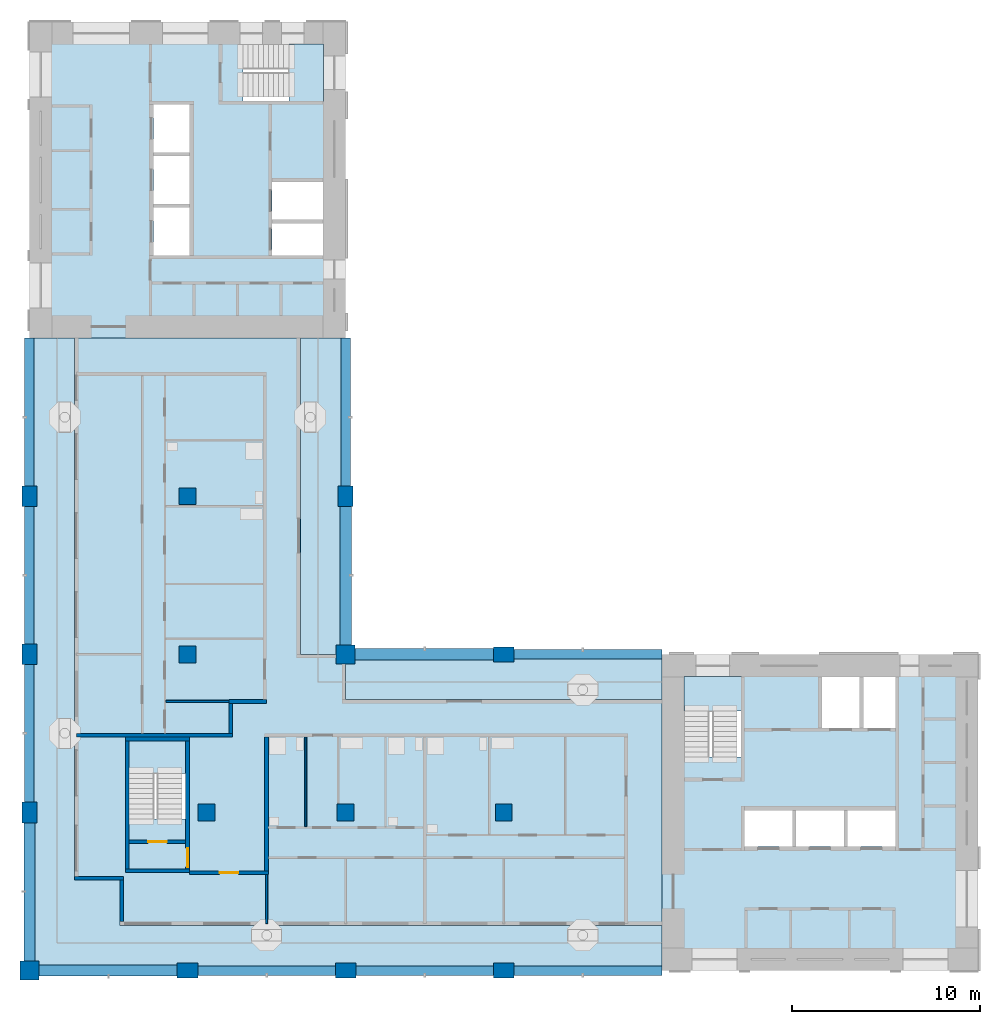
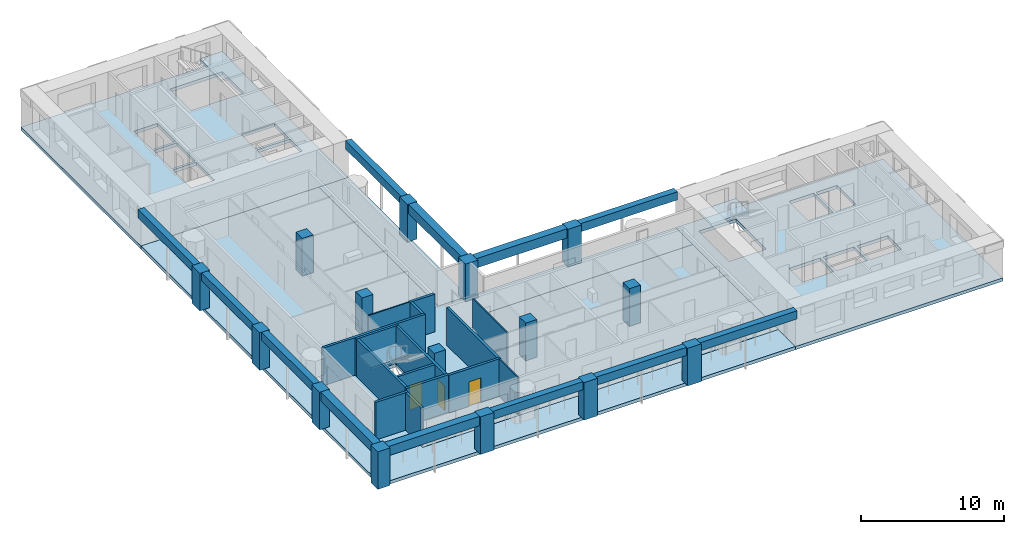
# One storey, part 1 of 12: 15 columns, 15 walls, 12 beams, 10 slabs, 3 doors, 3 openings, 3 elements without a shape of their own.
"""IFC4 building model written with IfcOpenShell, lengths in metres."""

from ifc_helpers import new_model, si_unit, direction, frame, frame_2d, origin, origin_2d, place, context, subcontext, project, spatial, polyline, rectangle, outline, extrude, material, layer, layer_set, material_profile, profile_set, type_object, element, fill, aggregate, save


model = new_model("IFC4")

# Units and contexts
model_context = context("Model", 3, precision=1e-05, world=origin(), true_north=direction((0.0, 1.0)))
body_context = subcontext(model_context, "Body", "Model", "MODEL_VIEW")
ifc_project = project(units=[si_unit("LENGTHUNIT", "METRE"), si_unit("AREAUNIT", "SQUARE_METRE"), si_unit("VOLUMEUNIT", "CUBIC_METRE"), si_unit("PLANEANGLEUNIT", "RADIAN"), si_unit("MASSUNIT", "GRAM", prefix="KILO")], contexts=[model_context])

# Site, building, storey
site_placement = place(None, origin())
site = spatial("IfcSite", under=ifc_project, at=site_placement, CompositionType="ELEMENT")
building_placement = place(site_placement, origin())
building = spatial("IfcBuilding", under=site, at=building_placement, Name="Vermilion Gate Residences", CompositionType="ELEMENT")
storey_placement = place(building_placement, frame((0.0, 0.0, 238.699951171875)))
storey = spatial("IfcBuildingStorey", under=building, at=storey_placement, Name="L62", CompositionType="ELEMENT", Elevation=238.699951171875)

# Columns
ifc_material_1 = material(Name="Concrete C50", Category="concrete")
ifc_material_profile_1 = material_profile(ifc_material_1, rectangle(XDim=1.0, YDim=1.0, at=origin_2d()), Name="RC-1000x1000")
ifc_profile_set_1 = profile_set([ifc_material_profile_1], Name="Concrete C50")
column_type_1 = type_object("IfcColumnType", Name="RC COLUMN 1000 X 1000 C50", PredefinedType="COLUMN", material=ifc_profile_set_1)
for number, where, z_axis, x_axis, name in (
    (1, (8.39990234375, 8.39990234375, 0.0), (0.0, 0.0, 1.0), (1.0, 0.0, 0.0), "Column 2-B L62"),
    (2, (25.199951171875, 25.199951171875, 0.0), (0.0, 0.0, 1.0), (1.0, 0.0, 0.0), "Column 4-D L62"),
):
    element("IfcColumn", number, at=place(storey_placement, frame(where, z_axis=z_axis, x_axis=x_axis)), inside=storey, type_object=column_type_1, Name=name, PredefinedType="COLUMN", context=body_context, shape_type="SweptSolid", body=[
        extrude(rectangle(XDim=1.0, YDim=1.0, at=origin_2d()), origin(), (0.0, 0.0, 1.0), 3.219970703125),
    ])
ifc_material_2 = material(Name="Concrete C50", Category="concrete")
ifc_material_profile_2 = material_profile(ifc_material_2, rectangle(XDim=1.10009765625, YDim=0.800048828125, at=origin_2d()), Name="RC-1100x800")
ifc_profile_set_2 = profile_set([ifc_material_profile_2], Name="Concrete C50")
column_type_2 = type_object("IfcColumnType", Name="RC COLUMN 1100 X 800 C50", PredefinedType="COLUMN", material=ifc_profile_set_2)
for number, where, z_axis, x_axis, name in (
    (3, (8.39990234375, 16.800048828125, 0.0), (0.0, 0.0, 1.0), (0.0, 1.0, 0.0), "Column 2-C L62"),
    (4, (8.39990234375, 25.199951171875, 0.0), (0.0, 0.0, 1.0), (0.0, 1.0, 0.0), "Column 2-D L62"),
    (5, (8.39990234375, 33.60009765625, 0.0), (0.0, 0.0, 1.0), (0.0, 1.0, 0.0), "Column 2-E L62"),
    (6, (16.800048828125, 8.39990234375, 0.0), (0.0, 0.0, 1.0), (1.0, 0.0, 0.0), "Column 3-B L62"),
    (7, (25.199951171875, 8.39990234375, 0.0), (0.0, 0.0, 1.0), (1.0, 0.0, 0.0), "Column 4-B L62"),
    (8, (25.199951171875, 33.60009765625, 0.0), (0.0, 0.0, 1.0), (0.0, 1.0, 0.0), "Column 4-E L62"),
    (9, (33.60009765625, 8.39990234375, 0.0), (0.0, 0.0, 1.0), (1.0, 0.0, 0.0), "Column 5-B L62"),
    (10, (33.60009765625, 25.199951171875, 0.0), (0.0, 0.0, 1.0), (1.0, 0.0, 0.0), "Column 5-D L62"),
):
    element("IfcColumn", number, at=place(storey_placement, frame(where, z_axis=z_axis, x_axis=x_axis)), inside=storey, type_object=column_type_2, Name=name, PredefinedType="COLUMN", context=body_context, shape_type="SweptSolid", body=[
        extrude(rectangle(XDim=1.10009765625, YDim=0.800048828125, at=origin_2d()), origin(), (0.0, 0.0, 1.0), 3.219970703125),
    ])
ifc_material_3 = material(Name="Concrete C50", Category="concrete")
ifc_material_profile_3 = material_profile(ifc_material_3, rectangle(XDim=0.89990234375, YDim=0.89990234375, at=origin_2d()), Name="RC-900x900")
ifc_profile_set_3 = profile_set([ifc_material_profile_3], Name="Concrete C50")
column_type_3 = type_object("IfcColumnType", Name="RC COLUMN 900 X 900 C50", PredefinedType="COLUMN", material=ifc_profile_set_3)
for number, where, z_axis, x_axis, name in (
    (11, (17.800048828125, 16.800048828125, 0.0), (0.0, 0.0, 1.0), (1.0, 0.0, 0.0), "Column 3-C L62"),
    (12, (16.800048828125, 25.199951171875, 0.0), (0.0, 0.0, 1.0), (1.0, 0.0, 0.0), "Column 3-D L62"),
    (13, (16.800048828125, 33.60009765625, 0.0), (0.0, 0.0, 1.0), (1.0, 0.0, 0.0), "Column 3-E L62"),
    (14, (25.199951171875, 16.800048828125, 0.0), (0.0, 0.0, 1.0), (1.0, 0.0, 0.0), "Column 4-C L62"),
    (15, (33.60009765625, 16.800048828125, 0.0), (0.0, 0.0, 1.0), (1.0, 0.0, 0.0), "Column 5-C L62"),
):
    element("IfcColumn", number, at=place(storey_placement, frame(where, z_axis=z_axis, x_axis=x_axis)), inside=storey, type_object=column_type_3, Name=name, PredefinedType="COLUMN", context=body_context, shape_type="SweptSolid", body=[
        extrude(rectangle(XDim=0.89990234375, YDim=0.89990234375, at=origin_2d()), origin(), (0.0, 0.0, 1.0), 3.219970703125),
    ])

# Beams
ifc_material_4 = material(Name="Concrete C60 red-oxide pigmented", Category="concrete")
ifc_material_profile_4 = material_profile(ifc_material_4, rectangle(XDim=0.60009765625, YDim=0.800048828125, at=origin_2d()), Name="RC-600x800")
ifc_profile_set_4 = profile_set([ifc_material_profile_4], Name="Concrete C60 red-oxide pigmented")
beam_type_1 = type_object("IfcBeamType", Name="RC CORNER EDGE BEAM 600 X 800 C60", PredefinedType="BEAM", material=ifc_profile_set_4)
for number, where, z_axis, x_axis, name in (
    (16, (8.89990234375, 8.39990234375, 2.820068359375), (1.0, 0.0, 0.0), (0.0, 1.0, 0.0), "Corner edge beam L62 1"),
    (17, (8.39990234375, 8.89990234375, 2.820068359375), (0.0, 1.0, 0.0), (-1.0, 0.0, 0.0), "Corner edge beam L62 2"),
    (18, (25.199951171875, 25.699951171875, 2.820068359375), (0.0, 1.0, 0.0), (-1.0, 0.0, 0.0), "Corner edge beam L62 7"),
    (19, (25.699951171875, 25.199951171875, 2.820068359375), (1.0, 0.0, 0.0), (0.0, 1.0, 0.0), "Corner edge beam L62 10"),
):
    element("IfcBeam", number, at=place(storey_placement, frame(where, z_axis=z_axis, x_axis=x_axis)), inside=storey, type_object=beam_type_1, Name=name, PredefinedType="BEAM", context=body_context, shape_type="SweptSolid", body=[
        extrude(rectangle(XDim=0.60009765625, YDim=0.800048828125, at=origin_2d()), origin(), (0.0, 0.0, 1.0), 7.35009765625),
    ])
ifc_material_5 = material(Name="Concrete C60 red-oxide pigmented", Category="concrete")
ifc_material_profile_5 = material_profile(ifc_material_5, rectangle(XDim=0.5, YDim=0.699951171875, at=origin_2d()), Name="RC-500x700")
ifc_profile_set_5 = profile_set([ifc_material_profile_5], Name="Concrete C60 red-oxide pigmented")
beam_type_2 = type_object("IfcBeamType", Name="RC EDGE BEAM 500 X 700 C60", PredefinedType="BEAM", material=ifc_profile_set_5)
beam_1_placement = place(storey_placement, frame((8.39990234375, 17.35009765625, 2.8701171875), z_axis=(0.0, 1.0, 0.0), x_axis=(-1.0, 0.0, 0.0)))
element("IfcBeam", 20, at=beam_1_placement, inside=storey, type_object=beam_type_2, Name="Edge beam L62 3", PredefinedType="BEAM", context=body_context, shape_type="SweptSolid", body=[
    extrude(rectangle(XDim=0.5, YDim=0.699951171875, at=origin_2d()), origin(), (0.0, 0.0, 1.0), 7.2998046875),
])
beam_2_placement = place(storey_placement, frame((8.39990234375, 25.75, 2.8701171875), z_axis=(0.0, 1.0, 0.0), x_axis=(-1.0, 0.0, 0.0)))
element("IfcBeam", 21, at=beam_2_placement, inside=storey, type_object=beam_type_2, Name="Edge beam L62 4", PredefinedType="BEAM", context=body_context, shape_type="SweptSolid", body=[
    extrude(rectangle(XDim=0.5, YDim=0.699951171875, at=origin_2d()), origin(), (0.0, 0.0, 1.0), 7.300048828125),
])
beam_3_placement = place(storey_placement, frame((8.39990234375, 34.14990234375, 2.8701171875), z_axis=(0.0, 1.0, 0.0), x_axis=(-1.0, 0.0, 0.0)))
element("IfcBeam", 22, at=beam_3_placement, inside=storey, type_object=beam_type_2, Name="Edge beam L62 5", PredefinedType="BEAM", context=body_context, shape_type="SweptSolid", body=[
    extrude(rectangle(XDim=0.5, YDim=0.699951171875, at=origin_2d()), origin(), (0.0, 0.0, 1.0), 7.85009765625),
])
beam_4_placement = place(storey_placement, frame((17.35009765625, 8.39990234375, 2.8701171875), z_axis=(1.0, 0.0, 0.0), x_axis=(0.0, 1.0, 0.0)))
element("IfcBeam", 23, at=beam_4_placement, inside=storey, type_object=beam_type_2, Name="Edge beam L62 6", PredefinedType="BEAM", context=body_context, shape_type="SweptSolid", body=[
    extrude(rectangle(XDim=0.5, YDim=0.699951171875, at=origin_2d()), origin(), (0.0, 0.0, 1.0), 7.2998046875),
])
beam_5_placement = place(storey_placement, frame((25.199951171875, 34.14990234375, 2.8701171875), z_axis=(0.0, 1.0, 0.0), x_axis=(-1.0, 0.0, 0.0)))
element("IfcBeam", 24, at=beam_5_placement, inside=storey, type_object=beam_type_2, Name="Edge beam L62 8", PredefinedType="BEAM", context=body_context, shape_type="SweptSolid", body=[
    extrude(rectangle(XDim=0.5, YDim=0.699951171875, at=origin_2d()), origin(), (0.0, 0.0, 1.0), 7.85009765625),
])
beam_6_placement = place(storey_placement, frame((25.75, 8.39990234375, 2.8701171875), z_axis=(1.0, 0.0, 0.0), x_axis=(0.0, 1.0, 0.0)))
element("IfcBeam", 25, at=beam_6_placement, inside=storey, type_object=beam_type_2, Name="Edge beam L62 9", PredefinedType="BEAM", context=body_context, shape_type="SweptSolid", body=[
    extrude(rectangle(XDim=0.5, YDim=0.699951171875, at=origin_2d()), origin(), (0.0, 0.0, 1.0), 7.300048828125),
])
for number, where, z_axis, x_axis, name in (
    (26, (34.14990234375, 8.39990234375, 2.8701171875), (1.0, 0.0, 0.0), (0.0, 1.0, 0.0), "Edge beam L62 11"),
    (27, (34.14990234375, 25.199951171875, 2.8701171875), (1.0, 0.0, 0.0), (0.0, 1.0, 0.0), "Edge beam L62 12"),
):
    element("IfcBeam", number, at=place(storey_placement, frame(where, z_axis=z_axis, x_axis=x_axis)), inside=storey, type_object=beam_type_2, Name=name, PredefinedType="BEAM", context=body_context, shape_type="SweptSolid", body=[
        extrude(rectangle(XDim=0.5, YDim=0.699951171875, at=origin_2d()), origin(), (0.0, 0.0, 1.0), 7.85009765625),
    ])

# Slabs
ifc_material_6 = material(Name="Concrete C50", Category="concrete")
ifc_layer_1 = layer(ifc_material_6, 0.280029296875)
ifc_layer_set_1 = layer_set([ifc_layer_1], Name="RC CORE FLOOR SLAB 280 C50")
slab_type_1 = type_object("IfcSlabType", Name="RC CORE FLOOR SLAB 280 C50", PredefinedType="FLOOR", material=ifc_layer_set_1)
slab_1_placement = place(storey_placement, frame((0.0, 0.0, -0.280029296875)))
element("IfcSlab", 28, at=slab_1_placement, inside=storey, type_object=slab_type_1, Name="Core floor slab A62", PredefinedType="FLOOR", context=body_context, shape_type="SweptSolid", body=[
    extrude(outline(polyline([(42.0, 8.39990234375), (58.800048828125, 8.39990234375), (58.800048828125, 25.199951171875), (42.0, 25.199951171875), (42.0, 8.39990234375)]), holes=[polyline([(46.39990234375, 15.0), (46.39990234375, 16.89990234375), (48.933349609375, 16.89990234375), (48.933349609375, 15.0), (46.39990234375, 15.0)]), polyline([(49.13330078125, 16.89990234375), (51.666748046875, 16.89990234375), (51.666748046875, 15.0), (49.13330078125, 15.0), (49.13330078125, 16.89990234375)]), polyline([(51.86669921875, 16.89990234375), (54.39990234375, 16.89990234375), (54.39990234375, 15.0), (51.86669921875, 15.0), (51.86669921875, 16.89990234375)]), polyline([(43.199951171875, 19.75), (43.199951171875, 24.0), (46.199951171875, 24.0), (46.199951171875, 19.75), (43.199951171875, 19.75)]), polyline([(50.5, 24.0), (52.5, 24.0), (52.5, 21.300048828125), (50.5, 21.300048828125), (50.5, 24.0)]), polyline([(52.699951171875, 24.0), (54.39990234375, 24.0), (54.39990234375, 21.300048828125), (52.699951171875, 21.300048828125), (52.699951171875, 24.0)])]), origin(), (0.0, 0.0, 1.0), 0.280029296875),
])
slab_2_placement = place(storey_placement, frame((0.0, 0.0, -0.280029296875)))
element("IfcSlab", 29, at=slab_2_placement, inside=storey, type_object=slab_type_1, Name="Core floor slab B62", PredefinedType="FLOOR", context=body_context, shape_type="SweptSolid", body=[
    extrude(outline(polyline([(8.39990234375, 42.0), (25.199951171875, 42.0), (25.199951171875, 58.800048828125), (8.39990234375, 58.800048828125), (8.39990234375, 42.0)]), holes=[polyline([(21.300048828125, 46.39990234375), (21.300048828125, 48.10009765625), (24.0, 48.10009765625), (24.0, 46.39990234375), (21.300048828125, 46.39990234375)]), polyline([(15.0, 48.933349609375), (16.89990234375, 48.933349609375), (16.89990234375, 46.39990234375), (15.0, 46.39990234375), (15.0, 48.933349609375)]), polyline([(21.300048828125, 50.300048828125), (24.0, 50.300048828125), (24.0, 48.300048828125), (21.300048828125, 48.300048828125), (21.300048828125, 50.300048828125)]), polyline([(15.0, 49.13330078125), (15.0, 51.666748046875), (16.89990234375, 51.666748046875), (16.89990234375, 49.13330078125), (15.0, 49.13330078125)]), polyline([(15.0, 54.39990234375), (16.89990234375, 54.39990234375), (16.89990234375, 51.86669921875), (15.0, 51.86669921875), (15.0, 54.39990234375)]), polyline([(19.75, 57.60009765625), (24.0, 57.60009765625), (24.0, 54.60009765625), (19.75, 54.60009765625), (19.75, 57.60009765625)])]), origin(), (0.0, 0.0, 1.0), 0.280029296875),
])
slab_3_placement = place(storey_placement, frame((0.0, 0.0, -0.280029296875)))
element("IfcSlab", 30, at=slab_3_placement, inside=storey, type_object=slab_type_1, Name="Apex stair floor slab 62", PredefinedType="FLOOR", context=body_context, shape_type="SweptSolid", body=[
    extrude(outline(polyline([(13.5, 13.60009765625), (16.89990234375, 13.60009765625), (16.89990234375, 20.800048828125), (13.5, 20.800048828125), (13.5, 13.60009765625)]), holes=[polyline([(16.699951171875, 20.60009765625), (16.699951171875, 16.449951171875), (13.699951171875, 16.449951171875), (13.699951171875, 20.60009765625), (16.699951171875, 20.60009765625)])]), origin(), (0.0, 0.0, 1.0), 0.280029296875),
])
ifc_material_7 = material(Name="Concrete C50", Category="concrete")
ifc_layer_2 = layer(ifc_material_7, 0.280029296875)
ifc_layer_set_2 = layer_set([ifc_layer_2], Name="RC FLAT PLATE 280 C50")
slab_type_2 = type_object("IfcSlabType", Name="RC FLAT PLATE 280 C50", PredefinedType="FLOOR", material=ifc_layer_set_2)
slab_4_placement = place(storey_placement, frame((0.0, 0.0, -0.280029296875)))
element("IfcSlab", 31, at=slab_4_placement, inside=storey, type_object=slab_type_2, Name="Floor slab L62", PredefinedType="FLOOR", context=body_context, shape_type="SweptSolid", body=[
    extrude(outline(polyline([(22.800048828125, 25.199951171875), (22.800048828125, 42.0), (10.800048828125, 42.0), (10.800048828125, 13.199951171875), (13.199951171875, 13.199951171875), (13.199951171875, 10.800048828125), (42.0, 10.800048828125), (42.0, 22.800048828125), (25.199951171875, 22.800048828125), (25.199951171875, 25.199951171875), (22.800048828125, 25.199951171875)]), holes=[polyline([(13.5, 13.60009765625), (13.5, 20.800048828125), (16.89990234375, 20.800048828125), (16.89990234375, 13.60009765625), (13.5, 13.60009765625)])]), origin(), (0.0, 0.0, 1.0), 0.280029296875),
])
ifc_material_8 = material(Name="Concrete C50 red-oxide pigmented", Category="concrete")
ifc_layer_3 = layer(ifc_material_8, 0.280029296875)
ifc_layer_set_3 = layer_set([ifc_layer_3], Name="RC LOGGIA SLAB 280 C50")
slab_type_3 = type_object("IfcSlabType", Name="RC LOGGIA SLAB 280 C50", PredefinedType="FLOOR", material=ifc_layer_set_3)
slab_5_placement = place(storey_placement, frame((0.0, 0.0, -0.280029296875)))
element("IfcSlab", 32, at=slab_5_placement, inside=storey, type_object=slab_type_3, Name="Loggia slab L62", PredefinedType="FLOOR", context=body_context, shape_type="SweptSolid", body=[
    extrude(outline(polyline([(8.39990234375, 8.39990234375), (42.0, 8.39990234375), (42.0, 10.800048828125), (13.199951171875, 10.800048828125), (13.199951171875, 13.199951171875), (10.800048828125, 13.199951171875), (10.800048828125, 42.0), (8.39990234375, 42.0), (8.39990234375, 8.39990234375)])), origin(), (0.0, 0.0, 1.0), 0.280029296875),
])
slab_6_placement = place(storey_placement, frame((0.0, 0.0, -0.280029296875)))
element("IfcSlab", 33, at=slab_6_placement, inside=storey, type_object=slab_type_3, Name="Loggia slab L62", PredefinedType="FLOOR", context=body_context, shape_type="SweptSolid", body=[
    extrude(outline(polyline([(25.199951171875, 22.800048828125), (42.0, 22.800048828125), (42.0, 25.199951171875), (25.199951171875, 25.199951171875), (25.199951171875, 22.800048828125)])), origin(), (0.0, 0.0, 1.0), 0.280029296875),
])
slab_7_placement = place(storey_placement, frame((0.0, 0.0, -0.280029296875)))
element("IfcSlab", 34, at=slab_7_placement, inside=storey, type_object=slab_type_3, Name="Loggia slab L62", PredefinedType="FLOOR", context=body_context, shape_type="SweptSolid", body=[
    extrude(outline(polyline([(25.199951171875, 42.0), (22.800048828125, 42.0), (22.800048828125, 25.199951171875), (25.199951171875, 25.199951171875), (25.199951171875, 42.0)])), origin(), (0.0, 0.0, 1.0), 0.280029296875),
])

# Stair, slab
ifc_material_9 = material(Name="Concrete C50", Category="concrete")
stair_type = type_object("IfcStairType", Name="SPECIAL ESCAPE STAIR 1300", PredefinedType="HALF_TURN_STAIR", material=ifc_material_9)
stair_1_placement = place(storey_placement, origin())
stair_1 = element("IfcStair", 35, at=stair_1_placement, inside=storey, type_object=stair_type, Name="Special escape stair STA1-62", PredefinedType="HALF_TURN_STAIR")
ifc_material_10 = material(Name="Concrete C50", Category="concrete")
ifc_layer_4 = layer(ifc_material_10, 0.199951171875)
ifc_layer_set_4 = layer_set([ifc_layer_4], Name="STAIR LANDING 200 C50")
slab_type_4 = type_object("IfcSlabType", Name="STAIR LANDING 200 C50", PredefinedType="LANDING", material=ifc_layer_set_4)
slab_8_placement = place(storey_placement, frame((0.0, 0.0, 1.550048828125)))
slab_8 = element("IfcSlab", 36, at=slab_8_placement, type_object=slab_type_4, Name="STA1-62 landing 1", PredefinedType="LANDING", context=body_context, shape_type="SweptSolid", body=[
    extrude(outline(polyline([(46.219970703125, 22.179931640625), (46.219970703125, 24.02001953125), (43.179931640625, 24.02001953125), (43.179931640625, 22.179931640625), (46.219970703125, 22.179931640625)])), origin(), (0.0, 0.0, 1.0), 0.199951171875),
])
aggregate(stair_1, [slab_8])

stair_2_placement = place(storey_placement, origin())
stair_2 = element("IfcStair", 37, at=stair_2_placement, inside=storey, type_object=stair_type, Name="Special escape stair STB1-62", PredefinedType="HALF_TURN_STAIR")
slab_9_placement = place(storey_placement, frame((0.0, 0.0, 1.550048828125)))
slab_9 = element("IfcSlab", 38, at=slab_9_placement, type_object=slab_type_4, Name="STB1-62 landing 1", PredefinedType="LANDING", context=body_context, shape_type="SweptSolid", body=[
    extrude(outline(polyline([(24.02001953125, 54.580078125), (24.02001953125, 57.6201171875), (22.179931640625, 57.6201171875), (22.179931640625, 54.580078125), (24.02001953125, 54.580078125)])), origin(), (0.0, 0.0, 1.0), 0.199951171875),
])
aggregate(stair_2, [slab_9])

stair_3_placement = place(storey_placement, origin())
stair_3 = element("IfcStair", 39, at=stair_3_placement, inside=storey, type_object=stair_type, Name="Special escape stair STC1-62", PredefinedType="HALF_TURN_STAIR")
slab_10_placement = place(storey_placement, frame((0.0, 0.0, 1.550048828125)))
slab_10 = element("IfcSlab", 40, at=slab_10_placement, type_object=slab_type_4, Name="STC1-62 landing 1", PredefinedType="LANDING", context=body_context, shape_type="SweptSolid", body=[
    extrude(outline(polyline([(16.719970703125, 18.8798828125), (16.719970703125, 20.6201171875), (13.679931640625, 20.6201171875), (13.679931640625, 18.8798828125), (16.719970703125, 18.8798828125)])), origin(), (0.0, 0.0, 1.0), 0.199951171875),
])
aggregate(stair_3, [slab_10])

# Walls
ifc_material_11 = material(Name="Insulated steel stud wall with terracotta rainscreen", Category="masonry")
ifc_layer_5 = layer(ifc_material_11, 0.199951171875)
ifc_layer_set_5 = layer_set([ifc_layer_5], Name="EXTERNAL WALL 200 TERRACOTTA RAINSCREEN")
wall_type_1 = type_object("IfcWallType", Name="EXTERNAL WALL 200 TERRACOTTA RAINSCREEN", PredefinedType="SOLIDWALL", material=ifc_layer_set_5)
wall_1_placement = place(storey_placement, frame((10.800048828125, 13.300048828125, 0.0), z_axis=(0.0, 0.0, 1.0), x_axis=(1.0, 0.0, 0.0)))
element("IfcWall", 41, at=wall_1_placement, inside=storey, type_object=wall_type_1, Name="External wall", PredefinedType="SOLIDWALL", context=body_context, shape_type="SweptSolid", body=[
    extrude(rectangle(XDim=2.599853515625, YDim=0.199951171875, at=frame_2d((1.2998046875, 0.0))), origin(), (0.0, 0.0, 1.0), 3.219970703125),
])
wall_2_placement = place(storey_placement, frame((13.300048828125, 13.199951171875, 0.0), z_axis=(0.0, 0.0, 1.0), x_axis=(0.0, -1.0, 0.0)))
element("IfcWall", 42, at=wall_2_placement, inside=storey, type_object=wall_type_1, Name="External wall", PredefinedType="SOLIDWALL", context=body_context, shape_type="SweptSolid", body=[
    extrude(rectangle(XDim=2.199951171875, YDim=0.199951171875, at=frame_2d((1.10009765625, 0.0))), origin(), (0.0, 0.0, 1.0), 3.219970703125),
])
ifc_material_12 = material(Name="Plasterboard on steel studs", Category="steel")
ifc_layer_6 = layer(ifc_material_12, 0.10009765625)
ifc_layer_set_6 = layer_set([ifc_layer_6], Name="PARTITION 100")
wall_type_2 = type_object("IfcWallType", Name="PARTITION 100", PredefinedType="PARTITIONING", material=ifc_layer_set_6)
wall_3_placement = place(storey_placement, frame((15.64990234375, 22.699951171875, 0.0), z_axis=(0.0, 0.0, 1.0), x_axis=(1.0, 0.0, 0.0)))
element("IfcWall", 43, at=wall_3_placement, inside=storey, type_object=wall_type_2, Name="Partition", PredefinedType="PARTITIONING", context=body_context, shape_type="SweptSolid", body=[
    extrude(rectangle(XDim=3.35009765625, YDim=0.10009765625, at=frame_2d((1.675048828125, 0.0))), origin(), (0.0, 0.0, 1.0), 3.219970703125),
])
wall_4_placement = place(storey_placement, frame((21.0, 10.89990234375, 0.0), z_axis=(0.0, 0.0, 1.0), x_axis=(0.0, 1.0, 0.0)))
element("IfcWall", 44, at=wall_4_placement, inside=storey, type_object=wall_type_2, Name="Partition", PredefinedType="PARTITIONING", context=body_context, shape_type="SweptSolid", body=[
    extrude(rectangle(XDim=2.60009765625, YDim=0.10009765625, at=frame_2d((1.300048828125, 0.0))), origin(), (0.0, 0.0, 1.0), 3.219970703125),
])
wall_5_placement = place(storey_placement, frame((23.080078125, 16.050048828125, 0.0), z_axis=(0.0, 0.0, 1.0), x_axis=(0.0, 1.0, 0.0)))
element("IfcWall", 45, at=wall_5_placement, inside=storey, type_object=wall_type_2, Name="Partition", PredefinedType="PARTITIONING", context=body_context, shape_type="SweptSolid", body=[
    extrude(rectangle(XDim=4.75, YDim=0.10009765625, at=frame_2d((2.375, 0.0))), origin(), (0.0, 0.0, 1.0), 3.219970703125),
])

# Wall, opening, door
ifc_material_13 = material(Name="Fire-rated plasterboard on steel studs", Category="steel")
ifc_layer_7 = layer(ifc_material_13, 0.199951171875)
ifc_layer_set_7 = layer_set([ifc_layer_7], Name="PARTY WALL 200 EI 120")
wall_type_3 = type_object("IfcWallType", Name="PARTY WALL 200 EI 120", PredefinedType="PARTITIONING", material=ifc_layer_set_7)
wall_6_placement = place(storey_placement, frame((16.89990234375, 13.60009765625, 0.0), z_axis=(0.0, 0.0, 1.0), x_axis=(1.0, 0.0, 0.0)))
wall_6 = element("IfcWall", 46, at=wall_6_placement, inside=storey, type_object=wall_type_3, Name="Party and corridor wall", PredefinedType="PARTITIONING", context=body_context, shape_type="SweptSolid", body=[
    extrude(rectangle(XDim=4.2001953125, YDim=0.199951171875, at=frame_2d((2.10009765625, 0.0))), origin(), (0.0, 0.0, 1.0), 3.219970703125),
])
opening_1_placement = place(wall_6_placement, frame((1.60009765625, 0.0, 0.0)))
opening_1 = element("IfcOpeningElement", 47, at=opening_1_placement, cuts=wall_6, Name="Opening DA61001", PredefinedType="OPENING", context=body_context, shape_type="SweptSolid", body=[
    extrude(rectangle(XDim=1.0, YDim=2.10009765625, at=frame_2d((0.5, 1.050048828125))), frame((0.0, 0.10986328125, 0.0), z_axis=(0.0, -1.0, 0.0), x_axis=(1.0, 0.0, 0.0)), (0.0, 0.0, 1.0), 0.219970703125),
])
ifc_material_14 = material(Name="Steel", Category="steel")
door_type_1 = type_object("IfcDoorType", Name="ENTRANCE DOOR 1000 X 2100 FD30", OperationType="SINGLE_SWING_LEFT", PredefinedType="DOOR", material=ifc_material_14)
door_1_placement = place(opening_1_placement, frame((1.0, 0.0, 0.0), z_axis=(0.0, 0.0, 1.0), x_axis=(-1.0, 0.0, 0.0)))
door_1 = element("IfcDoor", 48, at=door_1_placement, inside=storey, type_object=door_type_1, Name="Entrance door", OperationType="SINGLE_SWING_LEFT", OverallHeight=2.10009765625, OverallWidth=1.0, PredefinedType="DOOR", context=body_context, shape_type="SweptSolid", body=[
    extrude(rectangle(XDim=1.0, YDim=2.10009765625, at=frame_2d((0.5, 1.050048828125))), frame((0.0, 0.02490234375, 0.0), z_axis=(0.0, -1.0, 0.0), x_axis=(1.0, 0.0, 0.0)), (0.0, 0.0, 1.0), 0.050048828125),
])
fill(opening_1, door_1)

# Walls
wall_7_placement = place(storey_placement, frame((10.89990234375, 20.89990234375, 0.0), z_axis=(0.0, 0.0, 1.0), x_axis=(1.0, 0.0, 0.0)))
element("IfcWall", 49, at=wall_7_placement, inside=storey, type_object=wall_type_3, Name="Party and corridor wall", PredefinedType="PARTITIONING", context=body_context, shape_type="SweptSolid", body=[
    extrude(rectangle(XDim=8.300048828125, YDim=0.199951171875, at=frame_2d((4.14990234375, 0.0))), origin(), (0.0, 0.0, 1.0), 3.219970703125),
])
wall_8_placement = place(storey_placement, frame((19.0, 22.699951171875, 0.0), z_axis=(0.0, 0.0, 1.0), x_axis=(1.0, 0.0, 0.0)))
element("IfcWall", 50, at=wall_8_placement, inside=storey, type_object=wall_type_3, Name="Party and corridor wall", PredefinedType="PARTITIONING", context=body_context, shape_type="SweptSolid", body=[
    extrude(rectangle(XDim=2.0, YDim=0.199951171875, at=frame_2d((1.0, 0.0))), origin(), (0.0, 0.0, 1.0), 3.219970703125),
])
wall_9_placement = place(storey_placement, frame((19.10009765625, 21.0, 0.0), z_axis=(0.0, 0.0, 1.0), x_axis=(0.0, 1.0, 0.0)))
element("IfcWall", 51, at=wall_9_placement, inside=storey, type_object=wall_type_3, Name="Party and corridor wall", PredefinedType="PARTITIONING", context=body_context, shape_type="SweptSolid", body=[
    extrude(rectangle(XDim=1.60009765625, YDim=0.199951171875, at=frame_2d((0.800048828125, 0.0))), origin(), (0.0, 0.0, 1.0), 3.219970703125),
])
wall_10_placement = place(storey_placement, frame((21.0, 13.699951171875, 0.0), z_axis=(0.0, 0.0, 1.0), x_axis=(0.0, 1.0, 0.0)))
element("IfcWall", 52, at=wall_10_placement, inside=storey, type_object=wall_type_3, Name="Party and corridor wall", PredefinedType="PARTITIONING", context=body_context, shape_type="SweptSolid", body=[
    extrude(rectangle(XDim=7.10009765625, YDim=0.199951171875, at=frame_2d((3.550048828125, 0.0))), origin(), (0.0, 0.0, 1.0), 3.219970703125),
])
ifc_material_15 = material(Name="Concrete C60", Category="concrete")
ifc_layer_8 = layer(ifc_material_15, 0.199951171875)
ifc_layer_set_8 = layer_set([ifc_layer_8], Name="RC CORE INTERNAL WALL 200 C60")
wall_type_4 = type_object("IfcWallType", Name="RC CORE INTERNAL WALL 200 C60", PredefinedType="SHEAR", material=ifc_layer_set_8)
wall_11_placement = place(storey_placement, frame((13.60009765625, 13.800048828125, 0.0), z_axis=(0.0, 0.0, 1.0), x_axis=(0.0, 1.0, 0.0)))
element("IfcWall", 53, at=wall_11_placement, inside=storey, type_object=wall_type_4, Name="Core internal wall C62-W", PredefinedType="SHEAR", context=body_context, shape_type="SweptSolid", body=[
    extrude(rectangle(XDim=6.800048828125, YDim=0.199951171875, at=frame_2d((3.39990234375, 0.0))), origin(), (0.0, 0.0, 1.0), 3.219970703125),
])

# Wall, opening, door
wall_12_placement = place(storey_placement, frame((16.800048828125, 13.800048828125, 0.0), z_axis=(0.0, 0.0, 1.0), x_axis=(0.0, 1.0, 0.0)))
wall_12 = element("IfcWall", 54, at=wall_12_placement, inside=storey, type_object=wall_type_4, Name="Core internal wall C62-E", PredefinedType="SHEAR", context=body_context, shape_type="SweptSolid", body=[
    extrude(rectangle(XDim=6.800048828125, YDim=0.199951171875, at=frame_2d((3.39990234375, 0.0))), origin(), (0.0, 0.0, 1.0), 3.219970703125),
])
opening_2_placement = place(wall_12_placement, frame((0.10009765625, 0.0, 0.0)))
opening_2 = element("IfcOpeningElement", 55, at=opening_2_placement, cuts=wall_12, Name="Opening DK62201", PredefinedType="OPENING", context=body_context, shape_type="SweptSolid", body=[
    extrude(rectangle(XDim=1.0, YDim=2.10009765625, at=frame_2d((0.5, 1.050048828125))), frame((0.0, 0.10986328125, 0.0), z_axis=(0.0, -1.0, 0.0), x_axis=(1.0, 0.0, 0.0)), (0.0, 0.0, 1.0), 0.219970703125),
])
ifc_material_16 = material(Name="Steel", Category="steel")
door_type_2 = type_object("IfcDoorType", Name="FIRE DOOR FD60 1000 X 2100", OperationType="SINGLE_SWING_LEFT", PredefinedType="DOOR", material=ifc_material_16)
door_2_placement = place(opening_2_placement, frame((1.0, 0.0, 0.0), z_axis=(0.0, 0.0, 1.0), x_axis=(-1.0, 0.0, 0.0)))
door_2 = element("IfcDoor", 56, at=door_2_placement, inside=storey, type_object=door_type_2, Name="Stair vestibule door C62", OperationType="SINGLE_SWING_RIGHT", OverallHeight=2.10009765625, OverallWidth=1.0, PredefinedType="DOOR", context=body_context, shape_type="SweptSolid", body=[
    extrude(rectangle(XDim=1.0, YDim=2.10009765625, at=frame_2d((0.5, 1.050048828125))), frame((0.0, 0.02490234375, 0.0), z_axis=(0.0, -1.0, 0.0), x_axis=(1.0, 0.0, 0.0)), (0.0, 0.0, 1.0), 0.050048828125),
])
fill(opening_2, door_2)

# Walls
for number, where, z_axis, x_axis, name in (
    (57, (13.5, 13.699951171875, 0.0), (0.0, 0.0, 1.0), (1.0, 0.0, 0.0), "Core internal wall C62-S"),
    (58, (13.5, 20.699951171875, 0.0), (0.0, 0.0, 1.0), (1.0, 0.0, 0.0), "Core internal wall C62-N"),
):
    element("IfcWall", number, at=place(storey_placement, frame(where, z_axis=z_axis, x_axis=x_axis)), inside=storey, type_object=wall_type_4, Name=name, PredefinedType="SHEAR", context=body_context, shape_type="SweptSolid", body=[
        extrude(rectangle(XDim=3.39990234375, YDim=0.199951171875, at=frame_2d((1.699951171875, 0.0))), origin(), (0.0, 0.0, 1.0), 3.219970703125),
    ])

# Wall, opening, door
wall_13_placement = place(storey_placement, frame((13.699951171875, 15.25, 0.0), z_axis=(0.0, 0.0, 1.0), x_axis=(1.0, 0.0, 0.0)))
wall_13 = element("IfcWall", 59, at=wall_13_placement, inside=storey, type_object=wall_type_4, Name="Core internal wall C62-P", PredefinedType="SHEAR", context=body_context, shape_type="SweptSolid", body=[
    extrude(rectangle(XDim=3.0, YDim=0.199951171875, at=frame_2d((1.5, 0.0))), origin(), (0.0, 0.0, 1.0), 3.219970703125),
])
opening_3_placement = place(wall_13_placement, frame((1.0, 0.0, 0.0)))
opening_3 = element("IfcOpeningElement", 60, at=opening_3_placement, cuts=wall_13, Name="Opening DK62202", PredefinedType="OPENING", context=body_context, shape_type="SweptSolid", body=[
    extrude(rectangle(XDim=1.0, YDim=2.10009765625, at=frame_2d((0.5, 1.050048828125))), frame((0.0, 0.10986328125, 0.0), z_axis=(0.0, -1.0, 0.0), x_axis=(1.0, 0.0, 0.0)), (0.0, 0.0, 1.0), 0.219970703125),
])
door_3_placement = place(opening_3_placement, origin())
door_3 = element("IfcDoor", 61, at=door_3_placement, inside=storey, type_object=door_type_2, Name="Stair door C62", OperationType="SINGLE_SWING_LEFT", OverallHeight=2.10009765625, OverallWidth=1.0, PredefinedType="DOOR", context=body_context, shape_type="SweptSolid", body=[
    extrude(rectangle(XDim=1.0, YDim=2.10009765625, at=frame_2d((0.5, 1.050048828125))), frame((0.0, 0.02490234375, 0.0), z_axis=(0.0, -1.0, 0.0), x_axis=(1.0, 0.0, 0.0)), (0.0, 0.0, 1.0), 0.050048828125),
])
fill(opening_3, door_3)

save(model, "model.ifc")
